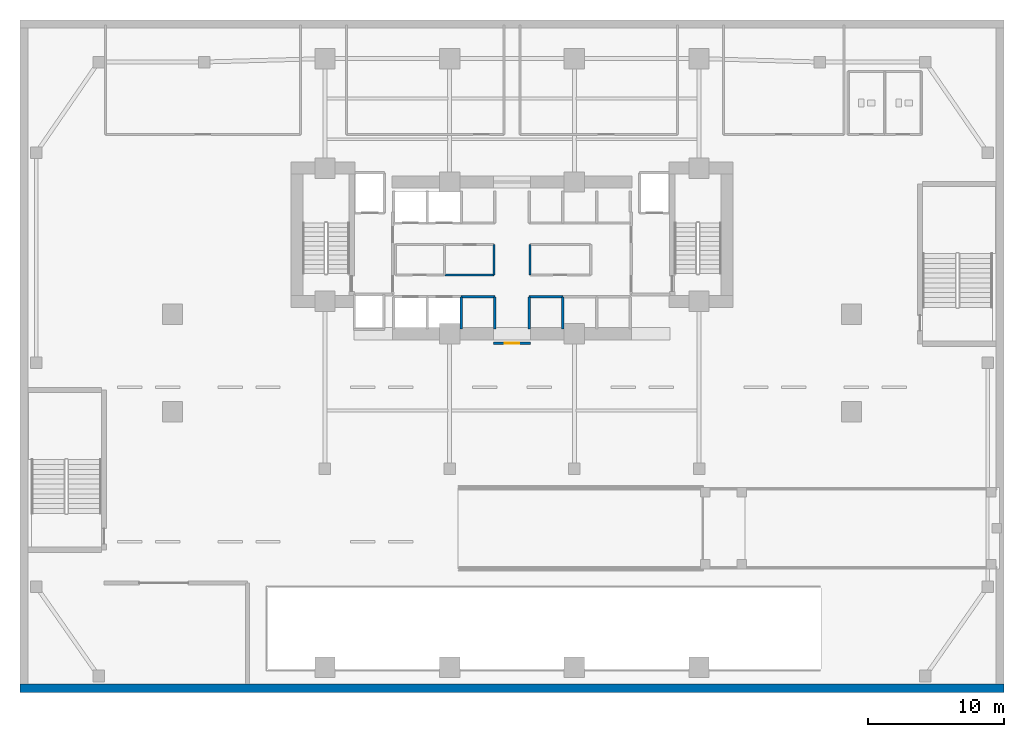
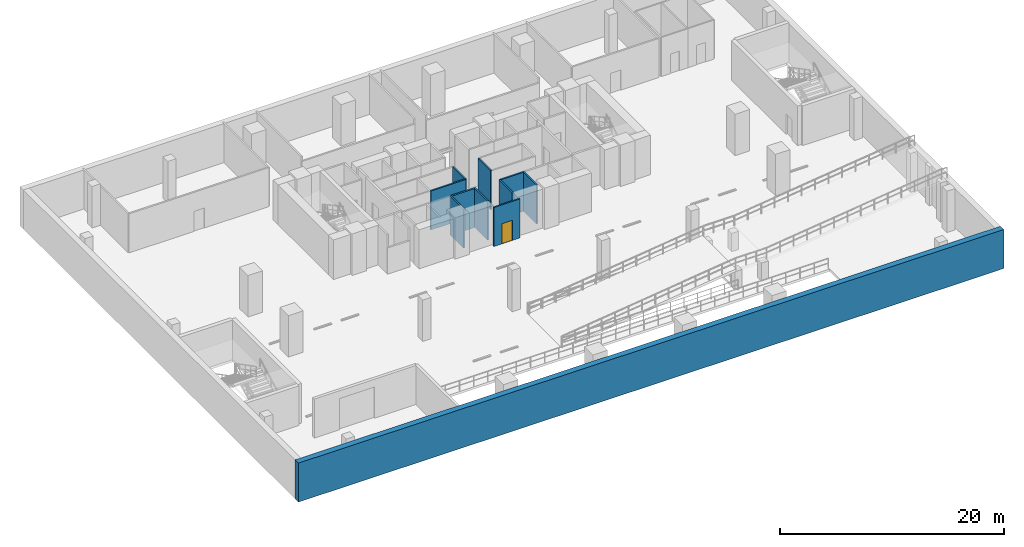
# One storey, part 4 of 13: 11 walls, 1 door, 1 opening.
"""IFC4 building model written with IfcOpenShell, lengths in metres."""

from ifc_helpers import new_model, si_unit, direction, frame, frame_2d, origin, place, context, subcontext, project, spatial, rectangle, extrude, material, layer, layer_set, type_object, element, fill, save


model = new_model("IFC4")

# Units and contexts
model_context = context("Model", 3, precision=1e-05, world=origin(), true_north=direction((0.0, 1.0)))
body_context = subcontext(model_context, "Body", "Model", "MODEL_VIEW")
ifc_project = project(units=[si_unit("LENGTHUNIT", "METRE"), si_unit("AREAUNIT", "SQUARE_METRE"), si_unit("VOLUMEUNIT", "CUBIC_METRE"), si_unit("PLANEANGLEUNIT", "RADIAN"), si_unit("MASSUNIT", "GRAM", prefix="KILO")], contexts=[model_context])

# Site, building, storey
site_placement = place(None, origin())
site = spatial("IfcSite", under=ifc_project, at=site_placement, CompositionType="ELEMENT")
building_placement = place(site_placement, origin())
building = spatial("IfcBuilding", under=site, at=building_placement, Name="Zuhayl Quay Hotel", CompositionType="ELEMENT")
storey_placement = place(building_placement, frame((0.0, 0.0, -4.5)))
storey = spatial("IfcBuildingStorey", under=building, at=storey_placement, Name="B1", CompositionType="ELEMENT", Elevation=-4.5)

# Walls
ifc_material_1 = material(Name="Acoustic Gypsum Partition STC-58")
ifc_layer_1 = layer(ifc_material_1, 0.14990234375, Name="Acoustic Gypsum Partition STC-58")
ifc_layer_set_1 = layer_set([ifc_layer_1], Name="Acoustic Gypsum Partition STC-58")
wall_type_1 = type_object("IfcWallType", Name="WL_PART_150", PredefinedType="PARTITIONING", material=ifc_layer_set_1)
wall_1_placement = place(storey_placement, frame((-4.929931640625, 6.47998046875, 0.0), z_axis=(0.0, 0.0, 1.0), x_axis=(1.0, 0.0, 0.0)))
element("IfcWall", 1, at=wall_1_placement, inside=storey, type_object=wall_type_1, Name="B1 Partition IW_B1_CORE_BM_S", PredefinedType="PARTITIONING", context=body_context, shape_type="SweptSolid", body=[
    extrude(rectangle(XDim=3.60986328125, YDim=0.14990234375, at=frame_2d((1.804931640625, 0.0))), origin(), (0.0, 0.0, 1.0), 4.239990234375),
])
for number, where, z_axis, x_axis, name in (
    (2, (-1.320068359375, 6.47998046875, 0.0), (0.0, 0.0, 1.0), (0.0, 1.0, 0.0), "B1 Partition IW_B1_CORE_BM_E"),
    (3, (1.320068359375, 6.47998046875, 0.0), (0.0, 0.0, 1.0), (0.0, 1.0, 0.0), "B1 Partition IW_B1_CORE_PN_W"),
):
    element("IfcWall", number, at=place(storey_placement, frame(where, z_axis=z_axis, x_axis=x_axis)), inside=storey, type_object=wall_type_1, Name=name, PredefinedType="PARTITIONING", context=body_context, shape_type="SweptSolid", body=[
        extrude(rectangle(XDim=2.239990234375, YDim=0.14990234375, at=frame_2d((1.1201171875, 0.0))), origin(), (0.0, 0.0, 1.0), 4.239990234375),
    ])

# Wall, opening, door
ifc_layer_2 = layer(ifc_material_1, 0.159912109375, Name="Acoustic Gypsum Partition STC-58")
ifc_layer_set_2 = layer_set([ifc_layer_2], Name="Acoustic Gypsum Partition STC-58")
wall_type_2 = type_object("IfcWallType", Name="WL_PART_CORR_160", PredefinedType="PARTITIONING", material=ifc_layer_set_2)
wall_2_placement = place(storey_placement, frame((-1.35009765625, 1.449951171875, 0.0), z_axis=(0.0, 0.0, 1.0), x_axis=(1.0, 0.0, 0.0)))
wall_2 = element("IfcWall", 4, at=wall_2_placement, inside=storey, type_object=wall_type_2, Name="B1 Partition IW_B1_PARK_SEP", PredefinedType="PARTITIONING", context=body_context, shape_type="SweptSolid", body=[
    extrude(rectangle(XDim=2.7001953125, YDim=0.159912109375, at=frame_2d((1.35009765625, 0.0))), origin(), (0.0, 0.0, 1.0), 4.239990234375),
])
opening_placement = place(wall_2_placement, frame((0.800048828125, 0.0, 0.0)))
opening = element("IfcOpeningElement", 5, at=opening_placement, cuts=wall_2, Name="Opening D02", PredefinedType="OPENING", context=body_context, shape_type="SweptSolid", body=[
    extrude(rectangle(XDim=1.10009765625, YDim=2.199951171875, at=frame_2d((0.550048828125, 1.10009765625))), frame((0.0, 0.08984375, 0.0), z_axis=(0.0, -1.0, 0.0), x_axis=(1.0, 0.0, 0.0)), (0.0, 0.0, 1.0), 0.179931640625),
])
ifc_material_2 = material(Name="Steel ASTM A992 Grade 50", Category="steel")
door_type = type_object("IfcDoorType", Name="DR_FIRE_90_1100", OperationType="NOTDEFINED", PredefinedType="DOOR", material=ifc_material_2)
door_placement = place(opening_placement, origin())
door = element("IfcDoor", 6, at=door_placement, inside=storey, type_object=door_type, Name="B1 Car Park Vestibule Door", OperationType="SINGLE_SWING_LEFT", OverallHeight=2.199951171875, OverallWidth=1.10009765625, PredefinedType="DOOR", context=body_context, shape_type="SweptSolid", body=[
    extrude(rectangle(XDim=1.10009765625, YDim=2.199951171875, at=frame_2d((0.550048828125, 1.10009765625))), frame((0.0, 0.02490234375, 0.0), z_axis=(0.0, -1.0, 0.0), x_axis=(1.0, 0.0, 0.0)), (0.0, 0.0, 1.0), 0.050048828125),
])
fill(opening, door)

# Walls
ifc_material_3 = material(Name="Gypsum Fireboard Assembly EI-90")
ifc_layer_3 = layer(ifc_material_3, 0.1650390625, Name="Gypsum Fireboard Assembly EI-90")
ifc_layer_set_3 = layer_set([ifc_layer_3], Name="Gypsum Fireboard Assembly EI-90")
wall_type_3 = type_object("IfcWallType", Name="WL_PART_SHAFT_160", PredefinedType="PARTITIONING", material=ifc_layer_set_3)
wall_3_placement = place(storey_placement, frame((-3.75, 2.52001953125, 0.0), z_axis=(0.0, 0.0, 1.0), x_axis=(0.0, 1.0, 0.0)))
element("IfcWall", 7, at=wall_3_placement, inside=storey, type_object=wall_type_3, Name="B1 Partition IW_B1_SH_LP2_E", PredefinedType="PARTITIONING", context=body_context, shape_type="SweptSolid", body=[
    extrude(rectangle(XDim=2.35986328125, YDim=0.1650390625, at=frame_2d((1.179931640625, 0.0))), origin(), (0.0, 0.0, 1.0), 4.239990234375),
])
wall_4_placement = place(storey_placement, frame((-3.75, 4.8798828125, 0.0), z_axis=(0.0, 0.0, 1.0), x_axis=(1.0, 0.0, 0.0)))
element("IfcWall", 8, at=wall_4_placement, inside=storey, type_object=wall_type_3, Name="B1 Partition IW_B1_SH_MP1_F", PredefinedType="PARTITIONING", context=body_context, shape_type="SweptSolid", body=[
    extrude(rectangle(XDim=2.47998046875, YDim=0.1650390625, at=frame_2d((1.239990234375, 0.0))), origin(), (0.0, 0.0, 1.0), 4.239990234375),
])
wall_5_placement = place(storey_placement, frame((-1.27001953125, 2.52001953125, 0.0), z_axis=(0.0, 0.0, 1.0), x_axis=(0.0, 1.0, 0.0)))
element("IfcWall", 9, at=wall_5_placement, inside=storey, type_object=wall_type_3, Name="B1 Partition IW_B1_SH_MP1_E", PredefinedType="PARTITIONING", context=body_context, shape_type="SweptSolid", body=[
    extrude(rectangle(XDim=2.35986328125, YDim=0.1650390625, at=frame_2d((1.179931640625, 0.0))), origin(), (0.0, 0.0, 1.0), 4.239990234375),
])
wall_6_placement = place(storey_placement, frame((1.27001953125, 4.8798828125, 0.0), z_axis=(0.0, 0.0, 1.0), x_axis=(1.0, 0.0, 0.0)))
element("IfcWall", 10, at=wall_6_placement, inside=storey, type_object=wall_type_3, Name="B1 Partition IW_B1_SH_MP2_F", PredefinedType="PARTITIONING", context=body_context, shape_type="SweptSolid", body=[
    extrude(rectangle(XDim=2.47998046875, YDim=0.1650390625, at=frame_2d((1.239990234375, 0.0))), origin(), (0.0, 0.0, 1.0), 4.239990234375),
])
for number, where, z_axis, x_axis, name in (
    (11, (1.27001953125, 2.52001953125, 0.0), (0.0, 0.0, 1.0), (0.0, 1.0, 0.0), "B1 Partition IW_B1_SH_MP2_W"),
    (12, (3.75, 2.52001953125, 0.0), (0.0, 0.0, 1.0), (0.0, 1.0, 0.0), "B1 Partition IW_B1_SH_MP2_E"),
):
    element("IfcWall", number, at=place(storey_placement, frame(where, z_axis=z_axis, x_axis=x_axis)), inside=storey, type_object=wall_type_3, Name=name, PredefinedType="PARTITIONING", context=body_context, shape_type="SweptSolid", body=[
        extrude(rectangle(XDim=2.35986328125, YDim=0.1650390625, at=frame_2d((1.179931640625, 0.0))), origin(), (0.0, 0.0, 1.0), 4.239990234375),
    ])
ifc_material_4 = material(Name="Concrete C50/60", Category="concrete")
ifc_layer_4 = layer(ifc_material_4, 0.60009765625, Name="Concrete C50/60", Category="concrete")
ifc_layer_set_4 = layer_set([ifc_layer_4], Name="Concrete C50/60")
wall_type_4 = type_object("IfcWallType", Name="WL_RET_600", PredefinedType="USERDEFINED", material=ifc_layer_set_4)
wall_7_placement = place(storey_placement, frame((36.300048828125, -24.0, 0.0), z_axis=(0.0, 0.0, 1.0), x_axis=(-1.0, 0.0, 0.0)))
element("IfcWall", 13, at=wall_7_placement, inside=storey, type_object=wall_type_4, Name="B1 Basement Retaining Wall S", ObjectType="RETAINING WALL", PredefinedType="USERDEFINED", context=body_context, shape_type="SweptSolid", body=[
    extrude(rectangle(XDim=72.60009765625, YDim=0.60009765625, at=frame_2d((36.300048828125, 0.0))), origin(), (0.0, 0.0, 1.0), 4.239990234375),
])

save(model, "model.ifc")
